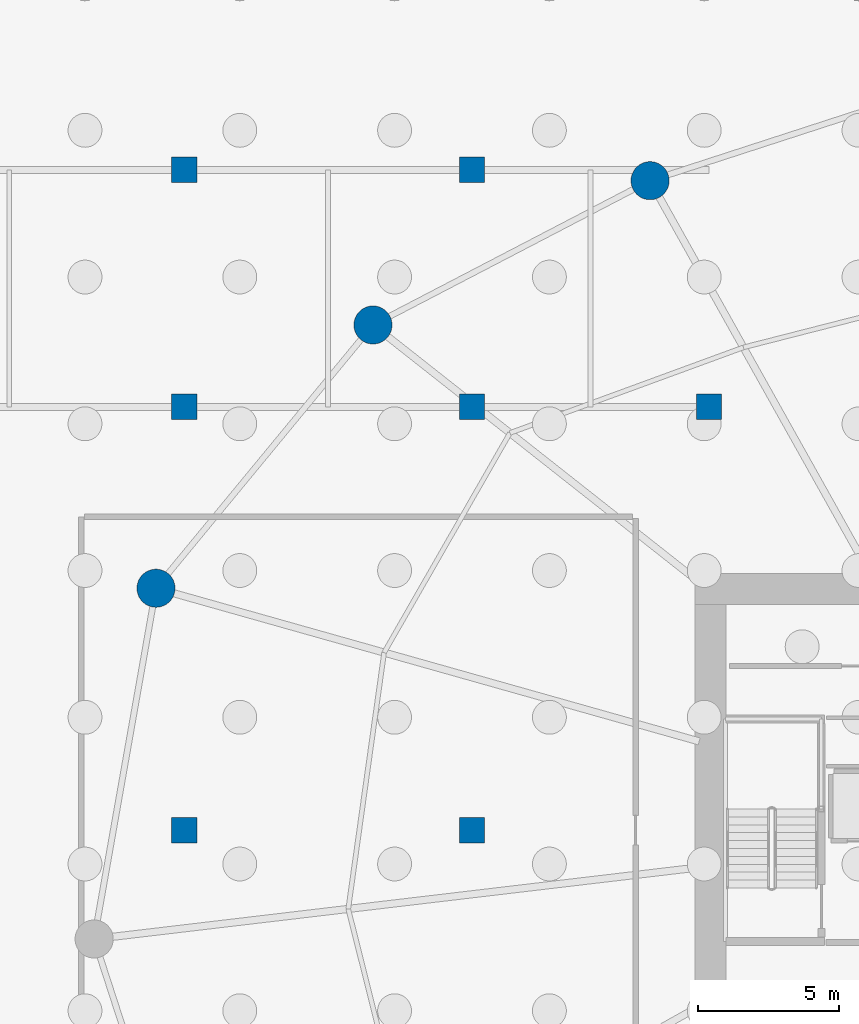
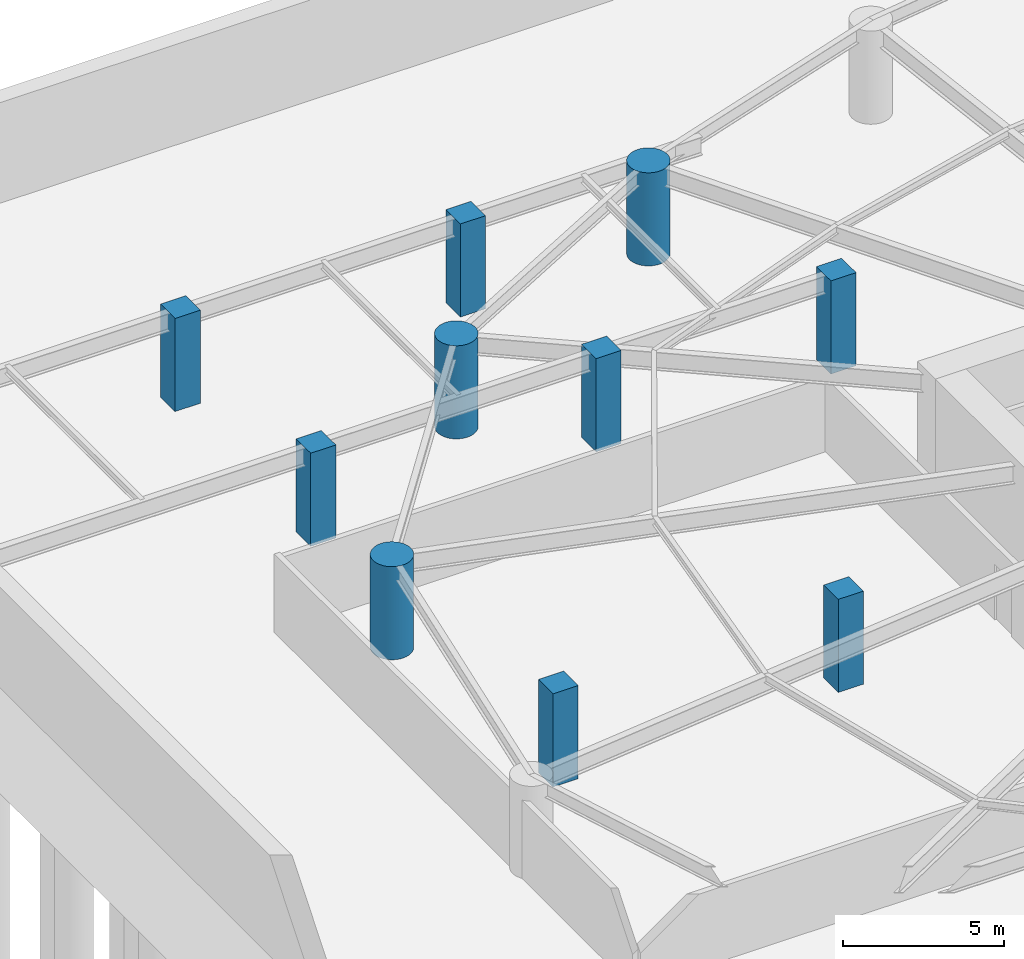
# One storey, part 3 of 12: 10 columns.
"""IFC4 building model written with IfcOpenShell, lengths in metres."""

from ifc_helpers import new_model, si_unit, direction, frame, origin, origin_2d, place, context, subcontext, project, spatial, rectangle, circle, extrude, material, material_profile, profile_set, type_object, element, save


model = new_model("IFC4")

# Units and contexts
model_context = context("Model", 3, precision=1e-05, world=origin(), true_north=direction((0.0, 1.0)))
body_context = subcontext(model_context, "Body", "Model", "MODEL_VIEW")
ifc_project = project(units=[si_unit("LENGTHUNIT", "METRE"), si_unit("AREAUNIT", "SQUARE_METRE"), si_unit("VOLUMEUNIT", "CUBIC_METRE"), si_unit("PLANEANGLEUNIT", "RADIAN"), si_unit("MASSUNIT", "GRAM", prefix="KILO")], contexts=[model_context])

# Site, building, storey
site_placement = place(None, origin())
site = spatial("IfcSite", under=ifc_project, at=site_placement, CompositionType="ELEMENT")
building_placement = place(site_placement, origin())
building = spatial("IfcBuilding", under=site, at=building_placement, Name="Kazma Halo Residences", CompositionType="ELEMENT")
storey_placement = place(building_placement, frame((0.0, 0.0, -7.60009765625)))
storey = spatial("IfcBuildingStorey", under=building, at=storey_placement, Name="B02", CompositionType="ELEMENT", Elevation=-7.60009765625)

# Columns
ifc_material_1 = material(Name="Concrete C60/75", Category="concrete")
ifc_material_profile_1 = material_profile(ifc_material_1, rectangle(XDim=0.89990234375, YDim=0.89990234375, at=origin_2d()), Name="RECT900x900")
ifc_profile_set_1 = profile_set([ifc_material_profile_1], Name="Concrete C60/75")
column_type_1 = type_object("IfcColumnType", Name="COL-BSMT-900", PredefinedType="COLUMN", material=ifc_profile_set_1)
for number, where, z_axis, x_axis, name in (
    (1, (18.60009765625, 42.0, 0.0), (0.0, 0.0, 1.0), (1.0, 0.0, 0.0), "B02 parking grid column 03"),
    (2, (18.60009765625, 57.0, 0.0), (0.0, 0.0, 1.0), (1.0, 0.0, 0.0), "B02 parking grid column 04"),
    (3, (18.60009765625, 65.39990234375, 0.0), (0.0, 0.0, 1.0), (1.0, 0.0, 0.0), "B02 parking grid column 05"),
    (4, (28.800048828125, 42.0, 0.0), (0.0, 0.0, 1.0), (1.0, 0.0, 0.0), "B02 parking grid column 08"),
    (5, (28.800048828125, 57.0, 0.0), (0.0, 0.0, 1.0), (1.0, 0.0, 0.0), "B02 parking grid column 09"),
    (6, (28.800048828125, 65.39990234375, 0.0), (0.0, 0.0, 1.0), (1.0, 0.0, 0.0), "B02 parking grid column 10"),
    (7, (37.199951171875, 57.0, 0.0), (0.0, 0.0, 1.0), (1.0, 0.0, 0.0), "B02 parking grid column 13"),
):
    element("IfcColumn", number, at=place(storey_placement, frame(where, z_axis=z_axis, x_axis=x_axis)), inside=storey, type_object=column_type_1, Name=name, PredefinedType="COLUMN", context=body_context, shape_type="SweptSolid", body=[
        extrude(rectangle(XDim=0.89990234375, YDim=0.89990234375, at=origin_2d()), origin(), (0.0, 0.0, 1.0), 3.52001953125),
    ])
ifc_material_2 = material(Name="Concrete C80/95", Category="concrete")
ifc_material_profile_2 = material_profile(ifc_material_2, circle(Radius=0.675048828125, at=origin_2d()), Name="CIRC1350")
ifc_profile_set_2 = profile_set([ifc_material_profile_2], Name="Concrete C80/95")
column_type_2 = type_object("IfcColumnType", Name="COL-PERIM-1350", PredefinedType="COLUMN", material=ifc_profile_set_2)
for number, where, z_axis, x_axis, name in (
    (8, (35.110595703125, 65.015625, 0.0), (0.0, 0.0, 1.0), (1.0, 0.0, 0.0), "B02 perimeter ring column P05"),
    (9, (25.291015625, 59.90234375, 0.0), (0.0, 0.0, 1.0), (1.0, 0.0, 0.0), "B02 perimeter ring column P06"),
    (10, (17.602294921875, 50.572998046875, 0.0), (0.0, 0.0, 1.0), (1.0, 0.0, 0.0), "B02 perimeter ring column P07"),
):
    element("IfcColumn", number, at=place(storey_placement, frame(where, z_axis=z_axis, x_axis=x_axis)), inside=storey, type_object=column_type_2, Name=name, PredefinedType="COLUMN", context=body_context, shape_type="SweptSolid", body=[
        extrude(circle(Radius=0.675048828125, at=origin_2d()), origin(), (0.0, 0.0, 1.0), 3.52001953125),
    ])

save(model, "model.ifc")
